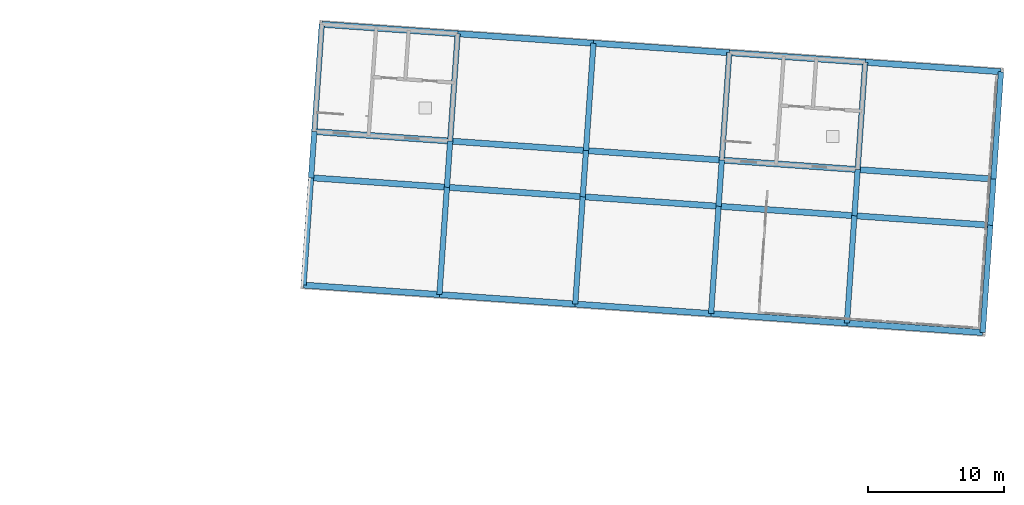
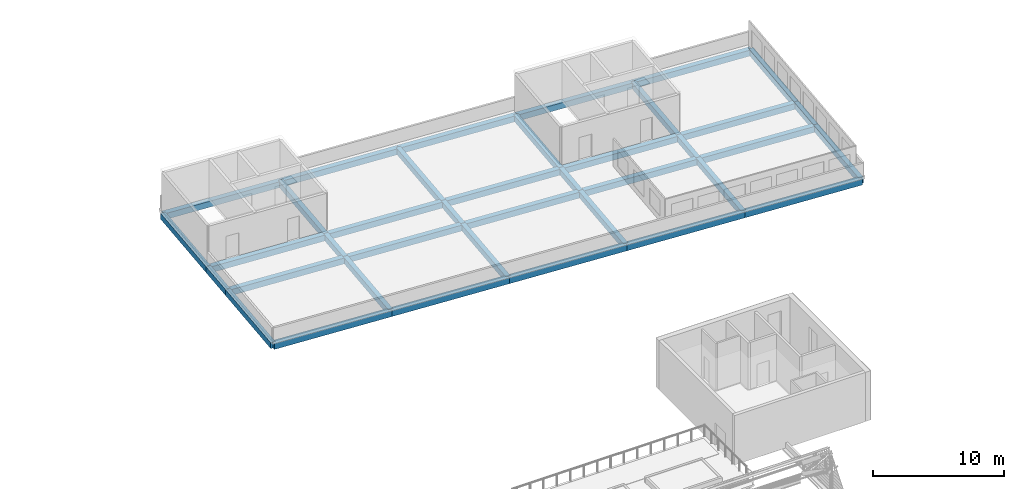
# One storey, part 43 of 110: 38 beams.
"""IFC4 building model written with IfcOpenShell, lengths in metres."""

from ifc_helpers import new_model, si_unit, direction, frame, origin, origin_2d, place, context, subcontext, project, spatial, rectangle, extrude, material, material_profile, profile_set, type_object, element, save


model = new_model("IFC4")

# Units and contexts
model_context = context("Model", 3, precision=1e-05, world=origin(), true_north=direction((0.0, 1.0)))
body_context = subcontext(model_context, "Body", "Model", "MODEL_VIEW")
ifc_project = project(units=[si_unit("LENGTHUNIT", "METRE"), si_unit("AREAUNIT", "SQUARE_METRE"), si_unit("VOLUMEUNIT", "CUBIC_METRE"), si_unit("PLANEANGLEUNIT", "RADIAN"), si_unit("MASSUNIT", "GRAM", prefix="KILO")], contexts=[model_context])

# Site, building, storey
site_placement = place(None, origin())
site = spatial("IfcSite", under=ifc_project, at=site_placement, CompositionType="ELEMENT")
building_placement = place(site_placement, origin())
building = spatial("IfcBuilding", under=site, at=building_placement, Name="Windward Yard Aquatics Centre", CompositionType="ELEMENT")
storey_placement = place(building_placement, frame((0.0, 0.0, 22.60009765625)))
storey = spatial("IfcBuildingStorey", under=building, at=storey_placement, Name="L05", CompositionType="ELEMENT", Elevation=22.60009765625)

# Beams
ifc_material = material(Name="Concrete C40/50", Category="concrete")
ifc_material_profile_1 = material_profile(ifc_material, rectangle(XDim=0.39990234375, YDim=0.550048828125, at=origin_2d()), Name="RC 400x550")
ifc_profile_set_1 = profile_set([ifc_material_profile_1], Name="Concrete C40/50")
beam_type_1 = type_object("IfcBeamType", Name="W RC 400x550 beam Concrete C40/50", PredefinedType="BEAM", material=ifc_profile_set_1)
beam_1_placement = place(storey_placement, frame((117.8388671875, 116.16748046875, -0.55517578125), z_axis=(0.0697491702, 0.997564560947, 0.0), x_axis=(-0.997564560947, 0.0697491702, 0.0)))
element("IfcBeam", 1, at=beam_1_placement, inside=storey, type_object=beam_type_1, Name="W.BV.L05.2.A", PredefinedType="BEAM", context=body_context, shape_type="SweptSolid", body=[
    extrude(rectangle(XDim=0.39990234375, YDim=0.550048828125, at=origin_2d()), origin(), (0.0, 0.0, 1.0), 7.900146484375),
])
beam_2_placement = place(storey_placement, frame((118.389892578125, 124.04833984375, -0.55517578125), z_axis=(0.069797686069, 0.997561167558, 0.0), x_axis=(-0.997561167558, 0.069797686069, 0.0)))
element("IfcBeam", 2, at=beam_2_placement, inside=storey, type_object=beam_type_1, Name="W.BV.L05.2.B", PredefinedType="BEAM", context=body_context, shape_type="SweptSolid", body=[
    extrude(rectangle(XDim=0.39990234375, YDim=0.550048828125, at=origin_2d()), origin(), (0.0, 0.0, 1.0), 3.39990234375),
])
beam_3_placement = place(storey_placement, frame((118.627197265625, 127.43994140625, -0.55517578125), z_axis=(0.0697491702, 0.997564560947, 0.0), x_axis=(-0.997564560947, 0.0697491702, 0.0)))
element("IfcBeam", 3, at=beam_3_placement, inside=storey, type_object=beam_type_1, Name="W.BV.L05.2.C", PredefinedType="BEAM", context=body_context, shape_type="SweptSolid", body=[
    extrude(rectangle(XDim=0.39990234375, YDim=0.550048828125, at=origin_2d()), origin(), (0.0, 0.0, 1.0), 7.900146484375),
])
beam_4_placement = place(storey_placement, frame((127.814453125, 115.469970703125, -0.55517578125), z_axis=(0.069751320509, 0.997564410596, 0.0), x_axis=(-0.997564410596, 0.069751320509, 0.0)))
element("IfcBeam", 4, at=beam_4_placement, inside=storey, type_object=beam_type_1, Name="W.BV.L05.3.A", PredefinedType="BEAM", context=body_context, shape_type="SweptSolid", body=[
    extrude(rectangle(XDim=0.39990234375, YDim=0.550048828125, at=origin_2d()), origin(), (0.0, 0.0, 1.0), 7.89990234375),
])
beam_5_placement = place(storey_placement, frame((128.365478515625, 123.3505859375, -0.55517578125), z_axis=(0.069792686595, 0.99756151735, 0.0), x_axis=(-0.99756151735, 0.069792686595, 0.0)))
element("IfcBeam", 5, at=beam_5_placement, inside=storey, type_object=beam_type_1, Name="W.BV.L05.3.B", PredefinedType="BEAM", context=body_context, shape_type="SweptSolid", body=[
    extrude(rectangle(XDim=0.39990234375, YDim=0.550048828125, at=origin_2d()), origin(), (0.0, 0.0, 1.0), 3.400146484375),
])
for number, where, z_axis, x_axis, name in (
    (6, (128.602783203125, 126.742431640625, -0.55517578125), (0.0697491702, 0.997564560947, 0.0), (-0.997564560947, 0.0697491702, 0.0), "W.BV.L05.3.C"),
    (7, (137.7900390625, 114.7724609375, -0.55517578125), (0.069779923244, 0.997562410234, 0.0), (-0.997562410234, 0.069779923244, 0.0), "W.BV.L05.4.A"),
):
    element("IfcBeam", number, at=place(storey_placement, frame(where, z_axis=z_axis, x_axis=x_axis)), inside=storey, type_object=beam_type_1, Name=name, PredefinedType="BEAM", context=body_context, shape_type="SweptSolid", body=[
        extrude(rectangle(XDim=0.39990234375, YDim=0.550048828125, at=origin_2d()), origin(), (0.0, 0.0, 1.0), 7.900146484375),
    ])
beam_6_placement = place(storey_placement, frame((138.34130859375, 122.6533203125, -0.55517578125), z_axis=(0.069726227042, 0.997566164854, 0.0), x_axis=(-0.997566164854, 0.069726227042, 0.0)))
element("IfcBeam", 8, at=beam_6_placement, inside=storey, type_object=beam_type_1, Name="W.BV.L05.4.B", PredefinedType="BEAM", context=body_context, shape_type="SweptSolid", body=[
    extrude(rectangle(XDim=0.39990234375, YDim=0.550048828125, at=origin_2d()), origin(), (0.0, 0.0, 1.0), 3.39990234375),
])
beam_7_placement = place(storey_placement, frame((138.578369140625, 126.044921875, -0.55517578125), z_axis=(0.069751320509, 0.997564410596, 0.0), x_axis=(-0.997564410596, 0.069751320509, 0.0)))
element("IfcBeam", 9, at=beam_7_placement, inside=storey, type_object=beam_type_1, Name="W.BV.L05.4.C", PredefinedType="BEAM", context=body_context, shape_type="SweptSolid", body=[
    extrude(rectangle(XDim=0.39990234375, YDim=0.550048828125, at=origin_2d()), origin(), (0.0, 0.0, 1.0), 7.89990234375),
])
beam_8_placement = place(storey_placement, frame((147.765869140625, 114.07470703125, -0.55517578125), z_axis=(0.0697491702, 0.997564560947, 0.0), x_axis=(-0.997564560947, 0.0697491702, 0.0)))
element("IfcBeam", 10, at=beam_8_placement, inside=storey, type_object=beam_type_1, Name="W.BV.L05.5.A", PredefinedType="BEAM", context=body_context, shape_type="SweptSolid", body=[
    extrude(rectangle(XDim=0.39990234375, YDim=0.550048828125, at=origin_2d()), origin(), (0.0, 0.0, 1.0), 7.900146484375),
])
beam_9_placement = place(storey_placement, frame((148.31689453125, 121.95556640625, -0.55517578125), z_axis=(0.069721232637, 0.997566513933, 0.0), x_axis=(-0.997566513933, 0.069721232637, 0.0)))
element("IfcBeam", 11, at=beam_9_placement, inside=storey, type_object=beam_type_1, Name="W.BV.L05.5.B", PredefinedType="BEAM", context=body_context, shape_type="SweptSolid", body=[
    extrude(rectangle(XDim=0.39990234375, YDim=0.550048828125, at=origin_2d()), origin(), (0.0, 0.0, 1.0), 3.400146484375),
])
beam_10_placement = place(storey_placement, frame((148.553955078125, 125.347412109375, -0.55517578125), z_axis=(0.069751320509, 0.997564410596, 0.0), x_axis=(-0.997564410596, 0.069751320509, 0.0)))
element("IfcBeam", 12, at=beam_10_placement, inside=storey, type_object=beam_type_1, Name="W.BV.L05.5.C", PredefinedType="BEAM", context=body_context, shape_type="SweptSolid", body=[
    extrude(rectangle(XDim=0.39990234375, YDim=0.550048828125, at=origin_2d()), origin(), (0.0, 0.0, 1.0), 7.89990234375),
])
beam_11_placement = place(storey_placement, frame((157.741455078125, 113.377197265625, -0.55517578125), z_axis=(0.0697491702, 0.997564560947, 0.0), x_axis=(-0.997564560947, 0.0697491702, 0.0)))
element("IfcBeam", 13, at=beam_11_placement, inside=storey, type_object=beam_type_1, Name="W.BV.L05.6.A", PredefinedType="BEAM", context=body_context, shape_type="SweptSolid", body=[
    extrude(rectangle(XDim=0.39990234375, YDim=0.550048828125, at=origin_2d()), origin(), (0.0, 0.0, 1.0), 7.900146484375),
])
beam_12_placement = place(storey_placement, frame((158.29248046875, 121.258056640625, -0.55517578125), z_axis=(0.069797686069, 0.997561167558, 0.0), x_axis=(-0.997561167558, 0.069797686069, 0.0)))
element("IfcBeam", 14, at=beam_12_placement, inside=storey, type_object=beam_type_1, Name="W.BV.L05.6.B", PredefinedType="BEAM", context=body_context, shape_type="SweptSolid", body=[
    extrude(rectangle(XDim=0.39990234375, YDim=0.550048828125, at=origin_2d()), origin(), (0.0, 0.0, 1.0), 3.39990234375),
])
for number, where, z_axis, x_axis, name in (
    (15, (158.52978515625, 124.649658203125, -0.55517578125), (0.0697491702, 0.997564560947, 0.0), (-0.997564560947, 0.0697491702, 0.0), "W.BV.L05.6.C"),
    (16, (167.717041015625, 112.6796875, -0.55517578125), (0.0697491702, 0.997564560947, 0.0), (-0.997564560947, 0.0697491702, 0.0), "W.BV.L05.7.A"),
):
    element("IfcBeam", number, at=place(storey_placement, frame(where, z_axis=z_axis, x_axis=x_axis)), inside=storey, type_object=beam_type_1, Name=name, PredefinedType="BEAM", context=body_context, shape_type="SweptSolid", body=[
        extrude(rectangle(XDim=0.39990234375, YDim=0.550048828125, at=origin_2d()), origin(), (0.0, 0.0, 1.0), 7.900146484375),
    ])
beam_13_placement = place(storey_placement, frame((168.26806640625, 120.560546875, -0.55517578125), z_axis=(0.069797686069, 0.997561167558, 0.0), x_axis=(-0.997561167558, 0.069797686069, 0.0)))
element("IfcBeam", 17, at=beam_13_placement, inside=storey, type_object=beam_type_1, Name="W.BV.L05.7.B", PredefinedType="BEAM", context=body_context, shape_type="SweptSolid", body=[
    extrude(rectangle(XDim=0.39990234375, YDim=0.550048828125, at=origin_2d()), origin(), (0.0, 0.0, 1.0), 3.39990234375),
])
beam_14_placement = place(storey_placement, frame((168.50537109375, 123.9521484375, -0.55517578125), z_axis=(0.0697491702, 0.997564560947, 0.0), x_axis=(-0.997564560947, 0.0697491702, 0.0)))
element("IfcBeam", 18, at=beam_14_placement, inside=storey, type_object=beam_type_1, Name="W.BV.L05.7.C", PredefinedType="BEAM", context=body_context, shape_type="SweptSolid", body=[
    extrude(rectangle(XDim=0.39990234375, YDim=0.550048828125, at=origin_2d()), origin(), (0.0, 0.0, 1.0), 7.900146484375),
])
ifc_material_profile_2 = material_profile(ifc_material, rectangle(XDim=0.449951171875, YDim=0.550048828125, at=origin_2d()), Name="RC 450x550")
ifc_profile_set_2 = profile_set([ifc_material_profile_2], Name="Concrete C40/50")
beam_type_2 = type_object("IfcBeamType", Name="W RC 450x550 beam Concrete C40/50", PredefinedType="BEAM", material=ifc_profile_set_2)
for number, where, z_axis, x_axis, name in (
    (19, (117.8388671875, 116.16748046875, -0.55517578125), (0.997564406228, -0.069751382981, 0.0), (0.069751382981, 0.997564406228, 0.0), "W.BU.L05.1.2"),
    (20, (127.814453125, 115.469970703125, -0.55517578125), (0.997564406228, -0.069751382981, 0.0), (0.069751382981, 0.997564406228, 0.0), "W.BU.L05.1.3"),
):
    element("IfcBeam", number, at=place(storey_placement, frame(where, z_axis=z_axis, x_axis=x_axis)), inside=storey, type_object=beam_type_2, Name=name, PredefinedType="BEAM", context=body_context, shape_type="SweptSolid", body=[
        extrude(rectangle(XDim=0.449951171875, YDim=0.550048828125, at=origin_2d()), origin(), (0.0, 0.0, 1.0), 10.0),
    ])
beam_15_placement = place(storey_placement, frame((137.7900390625, 114.7724609375, -0.55517578125), z_axis=(0.997562826017, -0.069773979021, 0.0), x_axis=(0.069773979021, 0.997562826017, 0.0)))
element("IfcBeam", 21, at=beam_15_placement, inside=storey, type_object=beam_type_2, Name="W.BU.L05.1.4", PredefinedType="BEAM", context=body_context, shape_type="SweptSolid", body=[
    extrude(rectangle(XDim=0.449951171875, YDim=0.550048828125, at=origin_2d()), origin(), (0.0, 0.0, 1.0), 10.000244140625),
])
for number, where, z_axis, x_axis, name in (
    (22, (147.765869140625, 114.07470703125, -0.55517578125), (0.997564406228, -0.069751382981, 0.0), (0.069751382981, 0.997564406228, 0.0), "W.BU.L05.1.5"),
    (23, (157.741455078125, 113.377197265625, -0.55517578125), (0.997564406228, -0.069751382981, 0.0), (0.069751382981, 0.997564406228, 0.0), "W.BU.L05.1.6"),
    (24, (118.389892578125, 124.04833984375, -0.55517578125), (0.997562707158, -0.069775678342, 0.0), (0.069775678342, 0.997562707158, 0.0), "W.BU.L05.2.2"),
):
    element("IfcBeam", number, at=place(storey_placement, frame(where, z_axis=z_axis, x_axis=x_axis)), inside=storey, type_object=beam_type_2, Name=name, PredefinedType="BEAM", context=body_context, shape_type="SweptSolid", body=[
        extrude(rectangle(XDim=0.449951171875, YDim=0.550048828125, at=origin_2d()), origin(), (0.0, 0.0, 1.0), 10.0),
    ])
beam_16_placement = place(storey_placement, frame((128.365478515625, 123.3505859375, -0.55517578125), z_axis=(0.997566223406, -0.069725389346, 0.0), x_axis=(0.069725389346, 0.997566223406, 0.0)))
element("IfcBeam", 25, at=beam_16_placement, inside=storey, type_object=beam_type_2, Name="W.BU.L05.2.3", PredefinedType="BEAM", context=body_context, shape_type="SweptSolid", body=[
    extrude(rectangle(XDim=0.449951171875, YDim=0.550048828125, at=origin_2d()), origin(), (0.0, 0.0, 1.0), 10.000244140625),
])
for number, where, z_axis, x_axis, name in (
    (26, (138.34130859375, 122.6533203125, -0.55517578125), (0.997562707158, -0.069775678342, 0.0), (0.069775678342, 0.997562707158, 0.0), "W.BU.L05.2.4"),
    (27, (148.31689453125, 121.95556640625, -0.55517578125), (0.997564406228, -0.069751382981, 0.0), (0.069751382981, 0.997564406228, 0.0), "W.BU.L05.2.5"),
    (28, (158.29248046875, 121.258056640625, -0.55517578125), (0.997564406228, -0.069751382981, 0.0), (0.069751382981, 0.997564406228, 0.0), "W.BU.L05.2.6"),
    (29, (118.627197265625, 127.43994140625, -0.55517578125), (0.997564406228, -0.069751382981, 0.0), (0.069751382981, 0.997564406228, 0.0), "W.BU.L05.3.2"),
    (30, (128.602783203125, 126.742431640625, -0.55517578125), (0.997564406228, -0.069751382981, 0.0), (0.069751382981, 0.997564406228, 0.0), "W.BU.L05.3.3"),
    (31, (138.578369140625, 126.044921875, -0.55517578125), (0.997564406228, -0.069751382981, 0.0), (0.069751382981, 0.997564406228, 0.0), "W.BU.L05.3.4"),
):
    element("IfcBeam", number, at=place(storey_placement, frame(where, z_axis=z_axis, x_axis=x_axis)), inside=storey, type_object=beam_type_2, Name=name, PredefinedType="BEAM", context=body_context, shape_type="SweptSolid", body=[
        extrude(rectangle(XDim=0.449951171875, YDim=0.550048828125, at=origin_2d()), origin(), (0.0, 0.0, 1.0), 10.0),
    ])
beam_17_placement = place(storey_placement, frame((148.553955078125, 125.347412109375, -0.55517578125), z_axis=(0.997562826017, -0.069773979021, 0.0), x_axis=(0.069773979021, 0.997562826017, 0.0)))
element("IfcBeam", 32, at=beam_17_placement, inside=storey, type_object=beam_type_2, Name="W.BU.L05.3.5", PredefinedType="BEAM", context=body_context, shape_type="SweptSolid", body=[
    extrude(rectangle(XDim=0.449951171875, YDim=0.550048828125, at=origin_2d()), origin(), (0.0, 0.0, 1.0), 10.000244140625),
])
for number, where, z_axis, x_axis, name in (
    (33, (158.52978515625, 124.649658203125, -0.55517578125), (0.997564406228, -0.069751382981, 0.0), (0.069751382981, 0.997564406228, 0.0), "W.BU.L05.3.6"),
    (34, (119.17822265625, 135.32080078125, -0.55517578125), (0.997564406228, -0.069751382981, 0.0), (0.069751382981, 0.997564406228, 0.0), "W.BU.L05.4.2"),
    (35, (129.15380859375, 134.623291015625, -0.55517578125), (0.997562707158, -0.069775678342, 0.0), (0.069775678342, 0.997562707158, 0.0), "W.BU.L05.4.3"),
    (36, (139.12939453125, 133.925537109375, -0.55517578125), (0.997564406228, -0.069751382981, 0.0), (0.069751382981, 0.997564406228, 0.0), "W.BU.L05.4.4"),
):
    element("IfcBeam", number, at=place(storey_placement, frame(where, z_axis=z_axis, x_axis=x_axis)), inside=storey, type_object=beam_type_2, Name=name, PredefinedType="BEAM", context=body_context, shape_type="SweptSolid", body=[
        extrude(rectangle(XDim=0.449951171875, YDim=0.550048828125, at=origin_2d()), origin(), (0.0, 0.0, 1.0), 10.0),
    ])
beam_18_placement = place(storey_placement, frame((149.10498046875, 133.22802734375, -0.55517578125), z_axis=(0.997564525005, -0.069749684245, 0.0), x_axis=(0.069749684245, 0.997564525005, 0.0)))
element("IfcBeam", 37, at=beam_18_placement, inside=storey, type_object=beam_type_2, Name="W.BU.L05.4.5", PredefinedType="BEAM", context=body_context, shape_type="SweptSolid", body=[
    extrude(rectangle(XDim=0.449951171875, YDim=0.550048828125, at=origin_2d()), origin(), (0.0, 0.0, 1.0), 10.000244140625),
])
beam_19_placement = place(storey_placement, frame((159.080810546875, 132.530517578125, -0.55517578125), z_axis=(0.997564406228, -0.069751382981, 0.0), x_axis=(0.069751382981, 0.997564406228, 0.0)))
element("IfcBeam", 38, at=beam_19_placement, inside=storey, type_object=beam_type_2, Name="W.BU.L05.4.6", PredefinedType="BEAM", context=body_context, shape_type="SweptSolid", body=[
    extrude(rectangle(XDim=0.449951171875, YDim=0.550048828125, at=origin_2d()), origin(), (0.0, 0.0, 1.0), 10.0),
])

save(model, "model.ifc")
